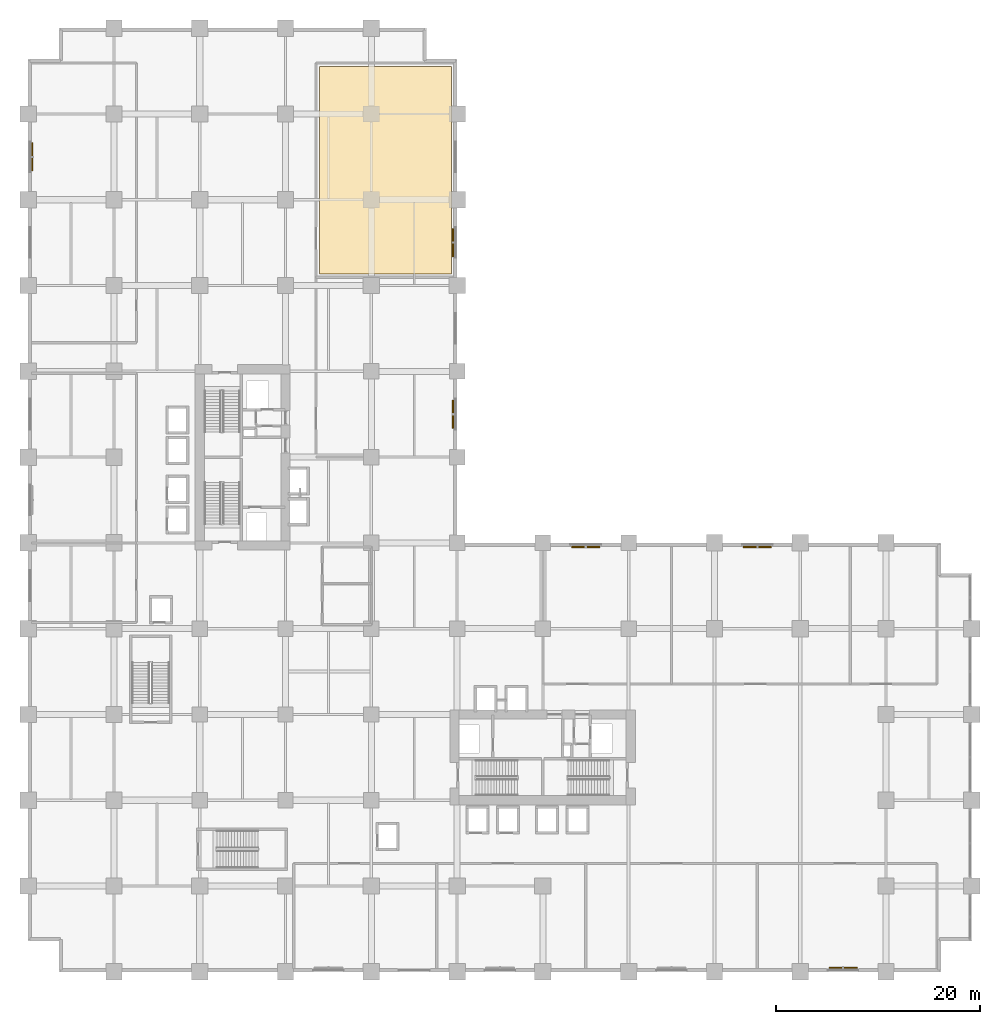
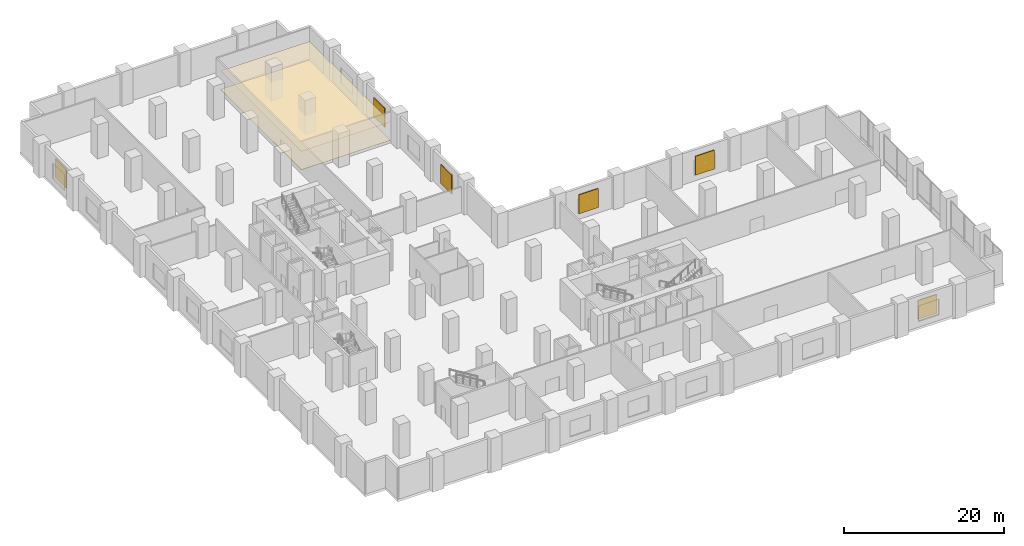
# One storey, part 23 of 23: 6 shading devices, 2 coverings.
"""IFC4 building model written with IfcOpenShell, lengths in metres."""

from ifc_helpers import new_model, si_unit, direction, frame, origin, origin_2d, place, context, subcontext, project, spatial, polyline, rectangle, outline, extrude, material, layer, layer_set, type_object, element, save


model = new_model("IFC4")

# Units and contexts
model_context = context("Model", 3, precision=1e-05, world=origin(), true_north=direction((0.0, 1.0)))
body_context = subcontext(model_context, "Body", "Model", "MODEL_VIEW")
ifc_project = project(units=[si_unit("LENGTHUNIT", "METRE"), si_unit("AREAUNIT", "SQUARE_METRE"), si_unit("VOLUMEUNIT", "CUBIC_METRE"), si_unit("PLANEANGLEUNIT", "RADIAN"), si_unit("MASSUNIT", "GRAM", prefix="KILO")], contexts=[model_context])

# Site, building, storey
site_placement = place(None, origin())
site = spatial("IfcSite", under=ifc_project, at=site_placement, CompositionType="ELEMENT")
building_placement = place(site_placement, origin())
building = spatial("IfcBuilding", under=site, at=building_placement, Name="Koriwani Terraces Tower", CompositionType="ELEMENT")
storey_placement = place(building_placement, frame((0.0, 0.0, 20.800048828125)))
storey = spatial("IfcBuildingStorey", under=building, at=storey_placement, Name="L04", CompositionType="ELEMENT", Elevation=20.800048828125)

# Coverings
ifc_material_1 = material(Name="Fire-Rated Acoustic Gypsum Partition", Category="masonry")
ifc_layer_1 = layer(ifc_material_1, 0.02490234375, Name="Fire-Rated Acoustic Gypsum Partition")
ifc_layer_set_1 = layer_set([ifc_layer_1], Name="Fire-Rated Acoustic Gypsum Partition")
covering_type_1 = type_object("IfcCoveringType", Name="CEILING_ACOUSTIC_GYPSUM", PredefinedType="CEILING", material=ifc_layer_set_1)
covering_1_placement = place(storey_placement, frame((0.0, 0.0, 2.824951171875)))
element("IfcCovering", 1, at=covering_1_placement, inside=storey, type_object=covering_type_1, Name="L04 Suspended Acoustic Gypsum Ceiling", PredefinedType="CEILING", context=body_context, shape_type="SweptSolid", body=[
    extrude(outline(polyline([(28.550048828125, 68.35009765625), (28.550048828125, 88.64990234375), (41.449951171875, 88.64990234375), (41.449951171875, 68.35009765625), (28.550048828125, 68.35009765625)])), origin(), (0.0, 0.0, 1.0), 0.02490234375),
])
ifc_material_2 = material(Name="Polished Andean Slate Flooring", Category="masonry")
ifc_layer_2 = layer(ifc_material_2, 0.030029296875, Name="Polished Andean Slate Flooring")
ifc_layer_set_2 = layer_set([ifc_layer_2], Name="Polished Andean Slate Flooring")
covering_type_2 = type_object("IfcCoveringType", Name="FLOORING_ANDEAN_STONE", PredefinedType="FLOORING", material=ifc_layer_set_2)
covering_2_placement = place(storey_placement, origin())
element("IfcCovering", 2, at=covering_2_placement, inside=storey, type_object=covering_type_2, Name="L04 Polished Andean Slate Floor Finish", PredefinedType="FLOORING", context=body_context, shape_type="SweptSolid", body=[
    extrude(outline(polyline([(28.550048828125, 68.35009765625), (28.550048828125, 88.64990234375), (41.449951171875, 88.64990234375), (41.449951171875, 68.35009765625), (28.550048828125, 68.35009765625)])), origin(), (0.0, 0.0, 1.0), 0.030029296875),
])

# Shading devices
ifc_material_3 = material(Name="Extruded Terracotta Clay", Category="masonry")
ifc_layer_3 = layer(ifc_material_3, 0.1201171875, Name="Extruded Terracotta Clay")
ifc_layer_set_3 = layer_set([ifc_layer_3], Name="Extruded Terracotta Clay")
shading_device_type = type_object("IfcShadingDeviceType", Name="TERRACOTTA_BAGUETTE_SCREEN_2800", PredefinedType="USERDEFINED", material=ifc_layer_set_3)
for number, where, z_axis, x_axis, name in (
    (3, (0.405029296875, 79.800048828125, 0.925048828125), (0.0, 0.0, 1.0), (0.0, 1.0, 0.0), "L04 Extruded Terracotta Baguette Screen (W-27)"),
    (4, (41.594970703125, 54.60009765625, 0.925048828125), (0.0, 0.0, 1.0), (0.0, -1.0, 0.0), "L04 Extruded Terracotta Baguette Screen (NW_IN-5)"),
    (5, (41.594970703125, 71.39990234375, 0.925048828125), (0.0, 0.0, 1.0), (0.0, -1.0, 0.0), "L04 Extruded Terracotta Baguette Screen (NW_IN-11)"),
    (6, (54.60009765625, 41.594970703125, 0.925048828125), (0.0, 0.0, 1.0), (1.0, 0.0, 0.0), "L04 Extruded Terracotta Baguette Screen (NE-5)"),
    (7, (71.39990234375, 41.594970703125, 0.925048828125), (0.0, 0.0, 1.0), (1.0, 0.0, 0.0), "L04 Extruded Terracotta Baguette Screen (NE-11)"),
    (8, (79.800048828125, 0.405029296875, 0.925048828125), (0.0, 0.0, 1.0), (-1.0, 0.0, 0.0), "L04 Extruded Terracotta Baguette Screen (S-27)"),
):
    element("IfcShadingDevice", number, at=place(storey_placement, frame(where, z_axis=z_axis, x_axis=x_axis)), inside=storey, type_object=shading_device_type, Name=name, ObjectType="BAGUETTE", PredefinedType="USERDEFINED", context=body_context, shape_type="SweptSolid", body=[
        extrude(rectangle(XDim=2.760009765625, YDim=0.1201171875, at=origin_2d()), origin(), (0.0, 0.0, 1.0), 2.89990234375),
    ])

save(model, "model.ifc")
